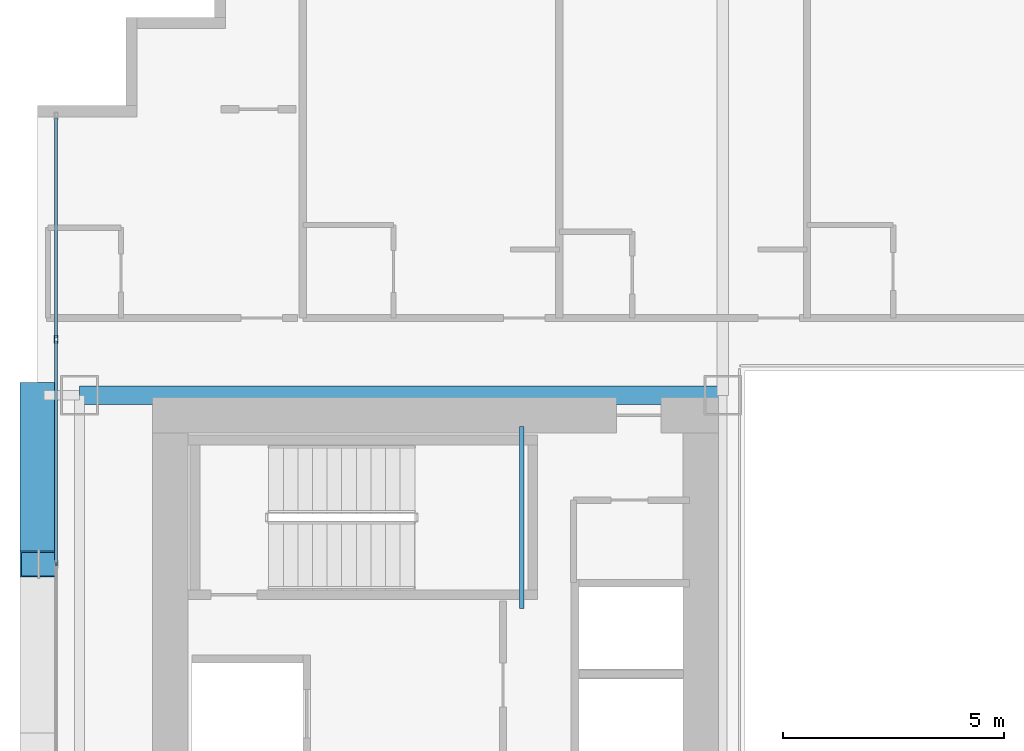
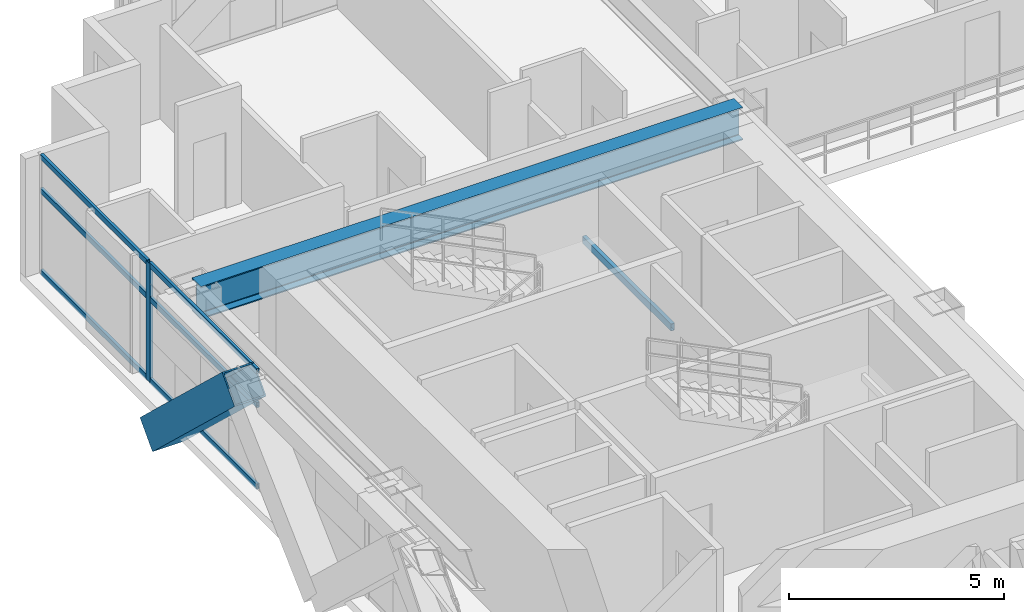
# One storey, part 16 of 35: 8 members, 2 beams, 1 element without a shape of its own.
"""IFC4 building model written with IfcOpenShell, lengths in metres."""

import ifcopenshell
import ifcopenshell.guid

model = None  # the IFC model being written
_history = None  # IfcOwnerHistory: only IFC2X3 demands one
_inside = {}  # id of a spatial element -> (the spatial element, [elements in it])
_under = {}  # id of a project, library or spatial element -> (it, [spatial elements below it])
_declared = {}  # id of a project -> (the project, [libraries it declares])
_typed = {}  # id of a type object -> (the type object, [elements of that type])
_made_of = {}  # id of a material, layer set ... -> (it, [elements and type objects made of it])


def new_model(schema):
    """Start an empty IFC model of exactly this schema.

    Asked for "IFC4X3", IfcOpenShell would pick the latest addendum, in which some entities
    have other attributes; the version numbers below select the first issue.
    IFC2X3 requires an IfcOwnerHistory on every rooted entity: one is made here for all.
    """
    global model, _history
    if schema == "IFC4X3":
        model = ifcopenshell.file(schema_version=(4, 3, 0, 0))
    else:
        model = ifcopenshell.file(schema=schema)
    _inside.clear()
    _under.clear()
    _declared.clear()
    _typed.clear()
    _made_of.clear()
    _history = None
    if model.schema == "IFC2X3":
        org = make("IfcOrganization", Name="unknown")
        user = make(
            "IfcPersonAndOrganization",
            ThePerson=make("IfcPerson", FamilyName="unknown"),
            TheOrganization=org,
        )
        app = make(
            "IfcApplication",
            ApplicationDeveloper=org,
            Version="unknown",
            ApplicationFullName="unknown",
            ApplicationIdentifier="unknown",
        )
        _history = make(
            "IfcOwnerHistory",
            OwningUser=user,
            OwningApplication=app,
            ChangeAction="ADDED",
            CreationDate=0,
        )
    return model


def make(cls, **values):
    """One entity of the class cls with the attributes given. An attribute that is None is left unset."""
    return model.create_entity(
        cls, **{name: value for name, value in values.items() if value is not None}
    )


def rooted(cls, **values):
    """An entity with a GlobalId (a new one), such as an element, a storey or a relation."""
    return make(cls, GlobalId=ifcopenshell.guid.new(), OwnerHistory=_history, **values)


def si_unit(unit_type, name, prefix=None):
    """IfcSIUnit, for example si_unit("LENGTHUNIT", "METRE", prefix="MILLI")."""
    return make("IfcSIUnit", UnitType=unit_type, Prefix=prefix, Name=name)


def assignment(units):
    """IfcUnitAssignment: the units of a project."""
    return None if units is None else make("IfcUnitAssignment", Units=units)


def point(xyz):
    """IfcCartesianPoint."""
    return None if xyz is None else make("IfcCartesianPoint", Coordinates=xyz)


def direction(xyz):
    """IfcDirection."""
    return None if xyz is None else make("IfcDirection", DirectionRatios=xyz)


def frame(location, z_axis=None, x_axis=None):
    """IfcAxis2Placement3D, a coordinate frame: its origin and axes. An axis left out is left unset."""
    return make(
        "IfcAxis2Placement3D",
        Location=point(location),
        Axis=direction(z_axis),
        RefDirection=direction(x_axis),
    )


def frame_2d(location, x_axis=None):
    """IfcAxis2Placement2D, a coordinate frame in the plane: its origin and x axis."""
    return make(
        "IfcAxis2Placement2D", Location=point(location), RefDirection=direction(x_axis)
    )


def origin():
    """The frame at (0, 0, 0) with its axes left unset."""
    return frame((0.0, 0.0, 0.0))


def origin_2d():
    """The frame at (0, 0) in the plane with its x axis left unset."""
    return frame_2d((0.0, 0.0))


def place(relative_to, where):
    """IfcLocalPlacement: puts the frame where relative to a parent placement (None: the world)."""
    return make(
        "IfcLocalPlacement", PlacementRelTo=relative_to, RelativePlacement=where
    )


def context(
    kind, dimensions, precision=None, world=None, true_north=None, identifier=None
):
    """IfcGeometricRepresentationContext, for example the 3D "Model" context."""
    return make(
        "IfcGeometricRepresentationContext",
        ContextIdentifier=identifier,
        ContextType=kind,
        CoordinateSpaceDimension=dimensions,
        Precision=precision,
        WorldCoordinateSystem=world,
        TrueNorth=true_north,
    )


def subcontext(parent, identifier, kind, view, scale=None):
    """IfcGeometricRepresentationSubContext, for example "Body" below "Model"."""
    return make(
        "IfcGeometricRepresentationSubContext",
        ContextIdentifier=identifier,
        ContextType=kind,
        ParentContext=parent,
        TargetScale=scale,
        TargetView=view,
    )


def project(units=None, contexts=None):
    """IfcProject with its units and contexts."""
    return rooted(
        "IfcProject",
        Name="project",
        RepresentationContexts=contexts,
        UnitsInContext=assignment(units),
    )


def spatial(cls, under=None, at=None, **own):
    """A site, building, storey or space (cls), placed at a placement, below another one or the project."""
    s = rooted(cls, ObjectPlacement=at, **own)
    if under is not None:
        _under.setdefault(under.id(), (under, []))[1].append(s)
    return s


def profile(cls, at=None, kind="AREA", **sizes):
    """A parametric profile (cls). Its sizes go by their IFC names, for example OverallWidth=200.0."""
    return make(cls, ProfileType=kind, Position=at, **sizes)


def hollow_rectangle(**sizes):
    """IfcRectangleHollowProfileDef."""
    return profile("IfcRectangleHollowProfileDef", **sizes)


def i_section(**sizes):
    """IfcIShapeProfileDef."""
    return profile("IfcIShapeProfileDef", **sizes)


def extrude(swept, where, along, depth):
    """IfcExtrudedAreaSolid: the profile swept, set in the frame where, extruded along a direction by depth."""
    return make(
        "IfcExtrudedAreaSolid",
        SweptArea=swept,
        Position=where,
        ExtrudedDirection=direction(along),
        Depth=depth,
    )


def shape(context_of_items, identifier, shape_type, items):
    """IfcShapeRepresentation: the items that make up one representation, for example the "Body"."""
    return make(
        "IfcShapeRepresentation",
        ContextOfItems=context_of_items,
        RepresentationIdentifier=identifier,
        RepresentationType=shape_type,
        Items=items,
    )


def source(mapping_origin, context_of_items, identifier, shape_type, items):
    """IfcRepresentationMap: a shape defined once, which mapped items show again and again."""
    return make(
        "IfcRepresentationMap",
        MappingOrigin=mapping_origin,
        MappedRepresentation=shape(context_of_items, identifier, shape_type, items),
    )


def transform(
    local_origin,
    x_axis=None,
    y_axis=None,
    z_axis=None,
    scale=None,
    scale2=None,
    scale3=None,
    uniform=True,
):
    """IfcCartesianTransformationOperator3D, or its non-uniform kind. x_axis, y_axis, z_axis: its Axis1, 2, 3."""
    if uniform:
        return make(
            "IfcCartesianTransformationOperator3D",
            Axis1=direction(x_axis),
            Axis2=direction(y_axis),
            LocalOrigin=point(local_origin),
            Scale=scale,
            Axis3=direction(z_axis),
        )
    return make(
        "IfcCartesianTransformationOperator3DnonUniform",
        Axis1=direction(x_axis),
        Axis2=direction(y_axis),
        LocalOrigin=point(local_origin),
        Scale=scale,
        Axis3=direction(z_axis),
        Scale2=scale2,
        Scale3=scale3,
    )


def mapped(mapping_source, mapping_target):
    """IfcMappedItem: shows the shape of a source again, moved by a transform."""
    return make(
        "IfcMappedItem", MappingSource=mapping_source, MappingTarget=mapping_target
    )


def material(Name=None, Category=None):
    """IfcMaterial."""
    return make("IfcMaterial", Name=Name, Category=Category)


def layer(
    of_material, thickness, ventilated=None, Name=None, Category=None, Priority=None
):
    """IfcMaterialLayer: one layer of a wall or slab, of a material (None: an air gap)."""
    return make(
        "IfcMaterialLayer",
        Material=of_material,
        LayerThickness=thickness,
        IsVentilated=ventilated,
        Name=Name,
        Category=Category,
        Priority=Priority,
    )


def layer_set(layers, Name=None):
    """IfcMaterialLayerSet."""
    return make("IfcMaterialLayerSet", MaterialLayers=layers, LayerSetName=Name)


def material_profile(
    of_material, cross_section, Name=None, Category=None, Priority=None
):
    """IfcMaterialProfile: a cross section and its material."""
    return make(
        "IfcMaterialProfile",
        Name=Name,
        Material=of_material,
        Profile=cross_section,
        Priority=Priority,
        Category=Category,
    )


def profile_set(profiles, Name=None, composite=None):
    """IfcMaterialProfileSet."""
    return make(
        "IfcMaterialProfileSet",
        Name=Name,
        MaterialProfiles=profiles,
        CompositeProfile=composite,
    )


def made_of(thing, what):
    """Note that an element or type object is made of a material, layer set ...; save() writes the relation."""
    if what is not None:
        _made_of.setdefault(what.id(), (what, []))[1].append(thing)
    return thing


def type_object(cls, material=None, **own):
    """A type object (cls), such as IfcWallType, which elements share."""
    return made_of(rooted(cls, **own), material)


def element(
    cls,
    number,
    at=None,
    inside=None,
    cuts=None,
    type_object=None,
    material=None,
    context=None,
    identifier="Body",
    shape_type=None,
    held_by="IfcProductDefinitionShape",
    body=None,
    shapes=None,
    **own,
):
    """One element of the class cls, such as IfcWall. Its Tag is "e" and its number.

    at: its placement. inside: the storey or other place that contains it. cuts: it is an
    opening in that element (IfcRelVoidsElement). A single representation is given by context,
    identifier, shape_type and body (its items); several are given by shapes. held_by: the class
    of the entity that holds the representations. save() writes the other relations.
    """
    e = rooted(cls, Tag="e%d" % number, ObjectPlacement=at, **own)
    if body is not None:
        shapes = [shape(context, identifier, shape_type, body)]
    if shapes is not None:
        e.Representation = make(held_by, Representations=shapes)
    if inside is not None:
        _inside.setdefault(inside.id(), (inside, []))[1].append(e)
    if cuts is not None:
        rooted(
            "IfcRelVoidsElement", RelatingBuildingElement=cuts, RelatedOpeningElement=e
        )
    if type_object is not None:
        _typed.setdefault(type_object.id(), (type_object, []))[1].append(e)
    return made_of(e, material)


def aggregate(whole, parts):
    """IfcRelAggregates: a whole, such as a stair, and the parts it consists of."""
    return rooted("IfcRelAggregates", RelatingObject=whole, RelatedObjects=parts)


def save(model, path):
    """Write the relations noted so far, then the file.

    IfcRelAggregates (storeys below a building ...), IfcRelContainedInSpatialStructure (elements
    in a storey), IfcRelDefinesByType, IfcRelAssociatesMaterial and IfcRelDeclares: one each for
    every whole, place, type object, material and project.
    """
    for whole, parts in _under.values():
        aggregate(whole, parts)
    for where, things in _inside.values():
        rooted(
            "IfcRelContainedInSpatialStructure",
            RelatedElements=things,
            RelatingStructure=where,
        )
    for kind, things in _typed.values():
        rooted("IfcRelDefinesByType", RelatedObjects=things, RelatingType=kind)
    for what, things in _made_of.values():
        rooted("IfcRelAssociatesMaterial", RelatedObjects=things, RelatingMaterial=what)
    for by, libraries in _declared.values():
        rooted("IfcRelDeclares", RelatingContext=by, RelatedDefinitions=libraries)
    model.write(path)


model = new_model("IFC4")

# Units and contexts
model_context = context("Model", 3, precision=1e-05, world=origin(), true_north=direction((0.0, 1.0)))
body_context = subcontext(model_context, "Body", "Model", "MODEL_VIEW")
ifc_project = project(units=[si_unit("LENGTHUNIT", "METRE"), si_unit("AREAUNIT", "SQUARE_METRE"), si_unit("VOLUMEUNIT", "CUBIC_METRE"), si_unit("PLANEANGLEUNIT", "RADIAN"), si_unit("MASSUNIT", "GRAM", prefix="KILO")], contexts=[model_context])

# Site, building, storey
site_placement = place(None, origin())
site = spatial("IfcSite", under=ifc_project, at=site_placement, CompositionType="ELEMENT")
building_placement = place(site_placement, origin())
building = spatial("IfcBuilding", under=site, at=building_placement, Name="Ocotamira Hotel", CompositionType="ELEMENT")
storey_placement = place(building_placement, frame((0.0, 0.0, 49.199951171875)))
storey = spatial("IfcBuildingStorey", under=building, at=storey_placement, Name="L11", CompositionType="ELEMENT", Elevation=49.199951171875)

# Beams
ifc_material_1 = material(Name="Steel ASTM A500 Grade C", Category="steel")
ifc_material_profile_1 = material_profile(ifc_material_1, hollow_rectangle(XDim=0.10009765625, YDim=0.199951171875, WallThickness=0.008056640625, at=origin_2d()), Name="HSS200X100X8")
ifc_profile_set_1 = profile_set([ifc_material_profile_1], Name="Steel ASTM A500 Grade C")
beam_type_1 = type_object("IfcBeamType", Name="BM-STLDG-HSS200", PredefinedType="BEAM", material=ifc_profile_set_1)
shared_shape_1 = source(origin(), body_context, "Body", "SweptSolid", [
    extrude(hollow_rectangle(XDim=0.10009765625, YDim=0.199951171875, WallThickness=0.008056640625, at=origin_2d()), origin(), (0.0, 0.0, 1.0), 4.1201171875),
])
beam_1_placement = place(storey_placement, frame((18.949951171875, 32.6298828125, 1.5), z_axis=(0.0, 1.0, 0.0), x_axis=(-1.0, 0.0, 0.0)))
element("IfcBeam", 1, at=beam_1_placement, inside=storey, type_object=beam_type_1, Name="L11 Stair ST-2 Landing Bearer 1", PredefinedType="BEAM", context=body_context, shape_type="MappedRepresentation", body=[
    mapped(shared_shape_1, transform((0.0, 0.0, 0.0), scale=1.0)),
])
ifc_material_2 = material(Name="Steel ASTM A992 Grade 50", Category="steel")
ifc_material_profile_2 = material_profile(ifc_material_2, i_section(OverallWidth=0.41796875, OverallDepth=0.927001953125, WebThickness=0.019287109375, FlangeThickness=0.031982421875, FilletRadius=0.02392578125, at=origin_2d()), Name="W36X231")
ifc_profile_set_2 = profile_set([ifc_material_profile_2], Name="Steel ASTM A992 Grade 50")
beam_type_2 = type_object("IfcBeamType", Name="BM-GIRD-W36X231", PredefinedType="BEAM", material=ifc_profile_set_2)
shared_shape_2 = source(origin(), body_context, "Body", "SweptSolid", [
    extrude(i_section(OverallWidth=0.41796875, OverallDepth=0.927001953125, WebThickness=0.019287109375, FlangeThickness=0.031982421875, FilletRadius=0.02392578125, at=origin_2d()), origin(), (0.0, 0.0, 1.0), 14.550048828125),
])
beam_2_placement = place(storey_placement, frame((8.949951171875, 37.449951171875, 2.886474609375), z_axis=(1.0, 0.0, 0.0), x_axis=(0.0, 1.0, 0.0)))
element("IfcBeam", 2, at=beam_2_placement, inside=storey, type_object=beam_type_2, Name="L11 Girder Y37.45 X8.95-23.5", PredefinedType="BEAM", context=body_context, shape_type="MappedRepresentation", body=[
    mapped(shared_shape_2, transform((0.0, 0.0, 0.0), scale=1.0)),
])

# Member
ifc_material_3 = material(Name="Pale-metal coated steel ASTM A913 Grade 65", Category="steel")
ifc_material_profile_3 = material_profile(ifc_material_3, hollow_rectangle(XDim=0.85009765625, YDim=0.85009765625, WallThickness=0.035888671875, at=origin_2d()), Name="BOX850X850X36")
ifc_profile_set_3 = profile_set([ifc_material_profile_3], Name="Pale-metal coated steel ASTM A913 Grade 65")
member_type_1 = type_object("IfcMemberType", Name="MEM-EXO-BOX850", PredefinedType="BRACE", material=ifc_profile_set_3)
shared_shape_3 = source(origin(), body_context, "Body", "SweptSolid", [
    extrude(hollow_rectangle(XDim=0.85009765625, YDim=0.85009765625, WallThickness=0.035888671875, at=origin_2d()), origin(), (0.0, 0.0, 1.0), 5.24658203125),
])
member_1_placement = place(storey_placement, frame((8.030029296875, 37.449951171875, -0.5), z_axis=(0.0, -0.727442733726, 0.686168397078), x_axis=(1.0, 0.0, 0.0)))
element("IfcMember", 3, at=member_1_placement, inside=storey, type_object=member_type_1, Name="L11 Exoskeleton Diagrid W2.2", PredefinedType="BRACE", context=body_context, shape_type="MappedRepresentation", body=[
    mapped(shared_shape_3, transform((0.0, 0.0, 0.0), scale=1.0)),
])

# Curtain wall, members
ifc_material_4 = material(Name="Anodised pale-metal aluminium and solar glass", Category="aluminium")
ifc_layer = layer(ifc_material_4, 0.179931640625)
ifc_layer_set = layer_set([ifc_layer], Name="Anodised pale-metal aluminium and solar glass")
curtain_wall_type = type_object("IfcCurtainWallType", Name="CW-SYS2-Z1", PredefinedType="NOTDEFINED", material=ifc_layer_set)
curtain_wall_placement = place(storey_placement, origin())
curtain_wall = element("IfcCurtainWall", 4, at=curtain_wall_placement, inside=storey, type_object=curtain_wall_type, Name="L11 Curtain Wall CW-2 CW-L11-W", PredefinedType="NOTDEFINED")
ifc_material_5 = material(Name="Anodised pale-metal aluminium 6063-T6", Category="aluminium")
ifc_material_profile_4 = material_profile(ifc_material_5, hollow_rectangle(XDim=0.074951171875, YDim=0.14990234375, WallThickness=0.006103515625, at=origin_2d()), Name="HSS150X75X6")
ifc_profile_set_4 = profile_set([ifc_material_profile_4], Name="Anodised pale-metal aluminium 6063-T6")
member_type_2 = type_object("IfcMemberType", Name="CWT-150X75", PredefinedType="USERDEFINED", material=ifc_profile_set_4)
shared_shape_4 = source(origin(), body_context, "Body", "SweptSolid", [
    extrude(hollow_rectangle(XDim=0.074951171875, YDim=0.14990234375, WallThickness=0.006103515625, at=origin_2d()), origin(), (0.0, 0.0, 1.0), 4.965576171875),
])
member_2_placement = place(storey_placement, frame((8.419921875, 38.75439453125, 0.03759765625), z_axis=(0.0, 1.0, 0.0), x_axis=(-1.0, 0.0, 0.0)))
member_2 = element("IfcMember", 5, at=member_2_placement, type_object=member_type_2, Name="CW-2 transom 7.1", ObjectType="TRANSOM", PredefinedType="USERDEFINED", context=body_context, shape_type="MappedRepresentation", body=[
    mapped(shared_shape_4, transform((0.0, 0.0, 0.0), scale=1.0)),
])
member_3_placement = place(storey_placement, frame((8.419921875, 38.75439453125, 2.35009765625), z_axis=(0.0, 1.0, 0.0), x_axis=(-1.0, 0.0, 0.0)))
member_3 = element("IfcMember", 6, at=member_3_placement, type_object=member_type_2, Name="CW-2 transom 7.2", ObjectType="TRANSOM", PredefinedType="USERDEFINED", context=body_context, shape_type="MappedRepresentation", body=[
    mapped(shared_shape_4, transform((0.0, 0.0, 0.0), scale=1.0)),
])
member_4_placement = place(storey_placement, frame((8.419921875, 38.75439453125, 3.3125), z_axis=(0.0, 1.0, 0.0), x_axis=(-1.0, 0.0, 0.0)))
member_4 = element("IfcMember", 7, at=member_4_placement, type_object=member_type_2, Name="CW-2 transom 7.3", ObjectType="TRANSOM", PredefinedType="USERDEFINED", context=body_context, shape_type="MappedRepresentation", body=[
    mapped(shared_shape_4, transform((0.0, 0.0, 0.0), scale=1.0)),
])
shared_shape_5 = source(origin(), body_context, "Body", "SweptSolid", [
    extrude(hollow_rectangle(XDim=0.074951171875, YDim=0.14990234375, WallThickness=0.006103515625, at=origin_2d()), origin(), (0.0, 0.0, 1.0), 5.005859375),
])
member_5_placement = place(storey_placement, frame((8.419921875, 33.66845703125, 0.03759765625), z_axis=(0.0, 1.0, 0.0), x_axis=(-1.0, 0.0, 0.0)))
member_5 = element("IfcMember", 8, at=member_5_placement, type_object=member_type_2, Name="CW-2 transom 6.1", ObjectType="TRANSOM", PredefinedType="USERDEFINED", context=body_context, shape_type="MappedRepresentation", body=[
    mapped(shared_shape_5, transform((0.0, 0.0, 0.0), scale=1.0)),
])
member_6_placement = place(storey_placement, frame((8.419921875, 33.66845703125, 2.35009765625), z_axis=(0.0, 1.0, 0.0), x_axis=(-1.0, 0.0, 0.0)))
member_6 = element("IfcMember", 9, at=member_6_placement, type_object=member_type_2, Name="CW-2 transom 6.2", ObjectType="TRANSOM", PredefinedType="USERDEFINED", context=body_context, shape_type="MappedRepresentation", body=[
    mapped(shared_shape_5, transform((0.0, 0.0, 0.0), scale=1.0)),
])
member_7_placement = place(storey_placement, frame((8.419921875, 33.66845703125, 3.3125), z_axis=(0.0, 1.0, 0.0), x_axis=(-1.0, 0.0, 0.0)))
member_7 = element("IfcMember", 10, at=member_7_placement, type_object=member_type_2, Name="CW-2 transom 6.3", ObjectType="TRANSOM", PredefinedType="USERDEFINED", context=body_context, shape_type="MappedRepresentation", body=[
    mapped(shared_shape_5, transform((0.0, 0.0, 0.0), scale=1.0)),
])
ifc_material_profile_5 = material_profile(ifc_material_5, hollow_rectangle(XDim=0.080078125, YDim=0.179931640625, WallThickness=0.006103515625, at=origin_2d()), Name="HSS180X80X6")
ifc_profile_set_5 = profile_set([ifc_material_profile_5], Name="Anodised pale-metal aluminium 6063-T6")
member_type_3 = type_object("IfcMemberType", Name="CWM-180X75", PredefinedType="MULLION", material=ifc_profile_set_5)
shared_shape_6 = source(origin(), body_context, "Body", "SweptSolid", [
    extrude(hollow_rectangle(XDim=0.080078125, YDim=0.179931640625, WallThickness=0.006103515625, at=origin_2d()), origin(), (0.0, 0.0, 1.0), 3.35009765625),
])
member_8_placement = place(storey_placement, frame((8.419921875, 38.71435546875, 0.0), z_axis=(0.0, 0.0, 1.0), x_axis=(-1.0, 0.0, 0.0)))
member_8 = element("IfcMember", 11, at=member_8_placement, type_object=member_type_3, Name="CW-2 mullion 7", PredefinedType="MULLION", context=body_context, shape_type="MappedRepresentation", body=[
    mapped(shared_shape_6, transform((0.0, 0.0, 0.0), scale=1.0)),
])
aggregate(curtain_wall, [member_8, member_5, member_6, member_7, member_2, member_3, member_4])

save(model, "model.ifc")
